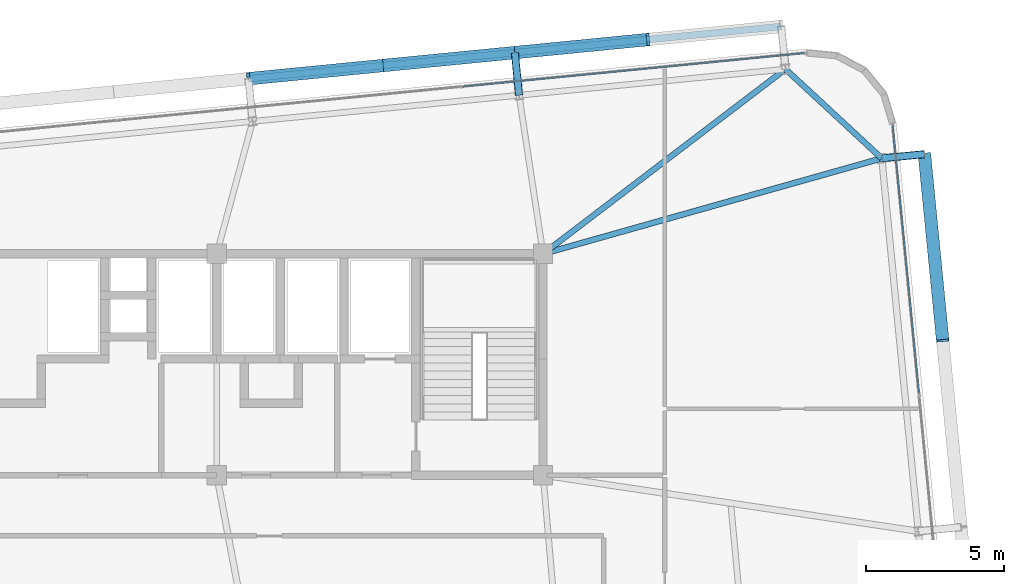
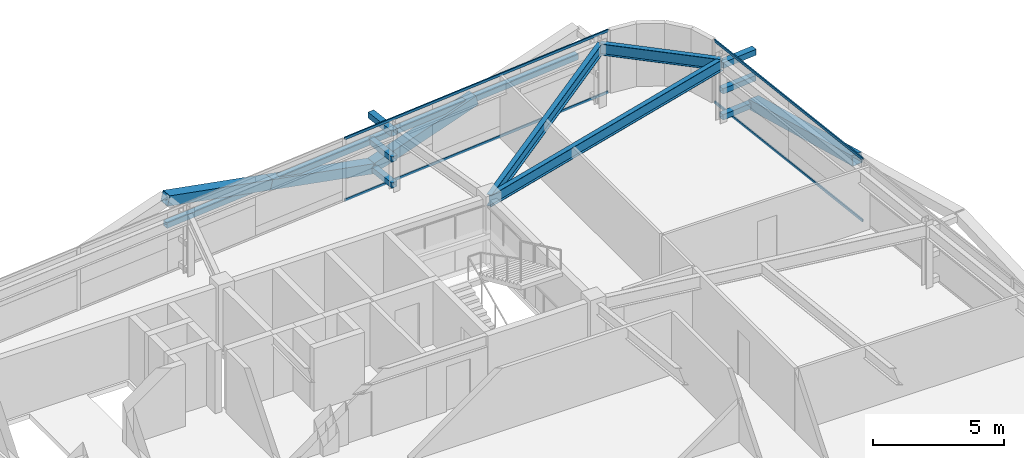
# One storey, part 30 of 47: 16 members, 3 beams, 2 elements without a shape of their own.
"""IFC4 building model written with IfcOpenShell, lengths in metres."""

from ifc_helpers import new_model, si_unit, direction, frame, origin, origin_2d, place, context, subcontext, project, spatial, hollow_rectangle, i_section, extrude, source, transform, mapped, material, layer, layer_set, material_profile, profile_set, type_object, element, aggregate, save


model = new_model("IFC4")

# Units and contexts
model_context = context("Model", 3, precision=1e-05, world=origin(), true_north=direction((0.0, 1.0)))
body_context = subcontext(model_context, "Body", "Model", "MODEL_VIEW")
ifc_project = project(units=[si_unit("LENGTHUNIT", "METRE"), si_unit("AREAUNIT", "SQUARE_METRE"), si_unit("VOLUMEUNIT", "CUBIC_METRE"), si_unit("PLANEANGLEUNIT", "RADIAN"), si_unit("MASSUNIT", "GRAM", prefix="KILO")], contexts=[model_context])

# Site, building, storey
site_placement = place(None, origin())
site = spatial("IfcSite", under=ifc_project, at=site_placement, CompositionType="ELEMENT")
building_placement = place(site_placement, origin())
building = spatial("IfcBuilding", under=site, at=building_placement, Name="Taldren Reach Tower", CompositionType="ELEMENT")
storey_placement = place(building_placement, frame((0.0, 0.0, 87.14990234375)))
storey = spatial("IfcBuildingStorey", under=building, at=storey_placement, Name="L26", CompositionType="ELEMENT", Elevation=87.14990234375)

# Beam
ifc_material_1 = material(Name="Steel Gr 350 (350PLUS)", Category="steel")
ifc_material_profile_1 = material_profile(ifc_material_1, i_section(OverallWidth=0.208984375, OverallDepth=0.528076171875, WebThickness=0.009521484375, FlangeThickness=0.01318359375, at=origin_2d()), Name="530UB82.0")
ifc_profile_set_1 = profile_set([ifc_material_profile_1], Name="Steel Gr 350 (350PLUS)")
beam_type_1 = type_object("IfcBeamType", Name="SP-UB530B", PredefinedType="SPANDREL", material=ifc_profile_set_1)
shared_shape_1 = source(origin(), body_context, "Body", "SweptSolid", [
    extrude(i_section(OverallWidth=0.208984375, OverallDepth=0.528076171875, WebThickness=0.009521484375, FlangeThickness=0.01318359375, at=origin_2d()), origin(), (0.0, 0.0, 1.0), 4.74609375),
])
beam_1_placement = place(storey_placement, frame((63.247314453125, 35.454345703125, 2.666015625), z_axis=(-0.733547883762, 0.679637772809, 0.0), x_axis=(-0.679637772809, -0.733547883762, 0.0)))
element("IfcBeam", 1, at=beam_1_placement, inside=storey, type_object=beam_type_1, Name="Perimeter spandrel B2 E3-N6 L26", PredefinedType="SPANDREL", context=body_context, shape_type="MappedRepresentation", body=[
    mapped(shared_shape_1, transform((0.0, 0.0, 0.0), scale=1.0)),
])

# Members
ifc_material_2 = material(Name="Steel Gr 450 (C450L0)", Category="steel")
ifc_material_profile_2 = material_profile(ifc_material_2, hollow_rectangle(XDim=0.27490234375, YDim=0.27490234375, WallThickness=0.00927734375, at=origin_2d()), Name="275x275x9.3SHS")
ifc_profile_set_2 = profile_set([ifc_material_profile_2], Name="Steel Gr 450 (C450L0)")
member_type_1 = type_object("IfcMemberType", Name="MB-TIE273", PredefinedType="STRUT", material=ifc_profile_set_2)
shared_shape_2 = source(origin(), body_context, "Body", "SweptSolid", [
    extrude(hollow_rectangle(XDim=0.27490234375, YDim=0.27490234375, WallThickness=0.00927734375, at=origin_2d()), origin(), (0.0, 0.0, 1.0), 1.5498046875),
])
for number, where, z_axis, x_axis, name in (
    (2, (50.132080078125, 37.7353515625, 2.650146484375), (-0.097663201064, 0.995219523099, 0.0), (-0.995219523099, -0.097663201064, 0.0), "Exoskeleton diaphragm tie strut B2-N5 L26"),
    (3, (63.247314453125, 35.454345703125, 2.650146484375), (0.995234821595, 0.097507178627, 0.0), (-0.097507178627, 0.995234821595, 0.0), "Exoskeleton diaphragm tie strut B2-E3 L26"),
):
    element("IfcMember", number, at=place(storey_placement, frame(where, z_axis=z_axis, x_axis=x_axis)), inside=storey, type_object=member_type_1, Name=name, PredefinedType="STRUT", context=body_context, shape_type="MappedRepresentation", body=[
        mapped(shared_shape_2, transform((0.0, 0.0, 0.0), scale=1.0)),
    ])
ifc_material_3 = material(Name="Steel Gr 350 (C350L0)", Category="steel")
ifc_material_profile_3 = material_profile(ifc_material_3, hollow_rectangle(XDim=0.25, YDim=0.25, WallThickness=0.010009765625, at=origin_2d()), Name="250x250x10.0SHS")
ifc_profile_set_3 = profile_set([ifc_material_profile_3], Name="Steel Gr 350 (C350L0)")
member_type_2 = type_object("IfcMemberType", Name="MB-POST250", PredefinedType="POST", material=ifc_profile_set_3)
shared_shape_3 = source(origin(), body_context, "Body", "SweptSolid", [
    extrude(hollow_rectangle(XDim=0.25, YDim=0.25, WallThickness=0.010009765625, at=origin_2d()), origin(), (0.0, 0.0, 1.0), 1.5498046875),
])
for number, where, z_axis, x_axis, name in (
    (4, (50.132080078125, 37.7353515625, 0.22021484375), (-0.097663201064, 0.995219523099, 0.0), (-0.995219523099, -0.097663201064, 0.0), "Exoskeleton base diaphragm tie strut B2-N5 L26"),
    (5, (63.247314453125, 35.454345703125, 0.22021484375), (0.995234821595, 0.097507178627, 0.0), (-0.097507178627, 0.995234821595, 0.0), "Exoskeleton base diaphragm tie strut B2-E3 L26"),
    (6, (50.132080078125, 37.7353515625, 1.43505859375), (-0.097663201064, 0.995219523099, 0.0), (-0.995219523099, -0.097663201064, 0.0), "Exoskeleton mid-tier diaphragm tie B2-N5 L26"),
    (7, (63.247314453125, 35.454345703125, 1.43505859375), (0.995234821595, 0.097507178627, 0.0), (-0.097507178627, 0.995234821595, 0.0), "Exoskeleton mid-tier diaphragm tie B2-E3 L26"),
):
    element("IfcMember", number, at=place(storey_placement, frame(where, z_axis=z_axis, x_axis=x_axis)), inside=storey, type_object=member_type_2, Name=name, PredefinedType="POST", context=body_context, shape_type="MappedRepresentation", body=[
        mapped(shared_shape_3, transform((0.0, 0.0, 0.0), scale=1.0)),
    ])

# Beams
ifc_material_profile_4 = material_profile(ifc_material_1, i_section(OverallWidth=0.208984375, OverallDepth=0.532958984375, WebThickness=0.01025390625, FlangeThickness=0.015625, at=origin_2d()), Name="530UB92.4")
ifc_profile_set_4 = profile_set([ifc_material_profile_4], Name="Steel Gr 350 (350PLUS)")
beam_type_2 = type_object("IfcBeamType", Name="BM-UB530A", PredefinedType="BEAM", material=ifc_profile_set_4)
shared_shape_4 = source(origin(), body_context, "Body", "SweptSolid", [
    extrude(i_section(OverallWidth=0.208984375, OverallDepth=0.532958984375, WebThickness=0.01025390625, FlangeThickness=0.015625, at=origin_2d()), origin(), (0.0, 0.0, 1.0), 12.72509765625),
])
beam_2_placement = place(storey_placement, frame((51.0, 32.0, 2.66357421875), z_axis=(0.962450190096, 0.271458342264, 0.0), x_axis=(-0.271458342264, 0.962450190096, 0.0)))
element("IfcBeam", 8, at=beam_2_placement, inside=storey, type_object=beam_type_2, Name="Primary floor girder B2-E3 L26", PredefinedType="BEAM", context=body_context, shape_type="MappedRepresentation", body=[
    mapped(shared_shape_4, transform((0.0, 0.0, 0.0), scale=1.0)),
])
shared_shape_5 = source(origin(), body_context, "Body", "SweptSolid", [
    extrude(i_section(OverallWidth=0.208984375, OverallDepth=0.532958984375, WebThickness=0.01025390625, FlangeThickness=0.015625, at=origin_2d()), origin(), (0.0, 0.0, 1.0), 11.02099609375),
])
beam_3_placement = place(storey_placement, frame((51.0, 32.0, 2.66357421875), z_axis=(0.795380356763, 0.606110623629, 0.0), x_axis=(-0.606110623629, 0.795380356763, 0.0)))
element("IfcBeam", 9, at=beam_3_placement, inside=storey, type_object=beam_type_2, Name="Primary floor girder B2-N6 L26", PredefinedType="BEAM", context=body_context, shape_type="MappedRepresentation", body=[
    mapped(shared_shape_5, transform((0.0, 0.0, 0.0), scale=1.0)),
])

# Members
ifc_material_profile_5 = material_profile(ifc_material_2, hollow_rectangle(XDim=0.4599609375, YDim=0.4599609375, WallThickness=0.01611328125, at=origin_2d()), Name="460x460x16.0SHS")
ifc_profile_set_5 = profile_set([ifc_material_profile_5], Name="Steel Gr 450 (C450L0)")
member_type_3 = type_object("IfcMemberType", Name="MB-EXO457", PredefinedType="BRACE", material=ifc_profile_set_5)
shared_shape_6 = source(origin(), body_context, "Body", "SweptSolid", [
    extrude(hollow_rectangle(XDim=0.4599609375, YDim=0.4599609375, WallThickness=0.01611328125, at=origin_2d()), origin(), (0.0, 0.0, 1.0), 4.990234375),
])
for number, where, z_axis, x_axis, name in (
    (10, (49.980712890625, 39.27783203125, 0.22021484375), (-0.965287024526, -0.094620633828, 0.24344998652), (0.097555749586, -0.995230061706, 0.0), "Exoskeleton Diagrid Brace B2-N4 L26"),
    (11, (45.163818359375, 38.8056640625, 1.43505859375), (-0.965271056716, -0.094667992638, 0.243494883389), (0.097605711627, -0.995225162995, 0.0), "Exoskeleton Diagrid Brace B2-N4 L26"),
    (12, (49.980712890625, 39.27783203125, 0.22021484375), (0.965282554799, 0.094669120301, 0.243448859234), (-0.097605711627, 0.995225162995, 0.0), "Exoskeleton Diagrid Brace B2-N5 L26"),
):
    element("IfcMember", number, at=place(storey_placement, frame(where, z_axis=z_axis, x_axis=x_axis)), inside=storey, type_object=member_type_3, Name=name, PredefinedType="BRACE", context=body_context, shape_type="MappedRepresentation", body=[
        mapped(shared_shape_6, transform((0.0, 0.0, 0.0), scale=1.0)),
    ])
shared_shape_7 = source(origin(), body_context, "Body", "SweptSolid", [
    extrude(hollow_rectangle(XDim=0.25, YDim=0.25, WallThickness=0.010009765625, at=origin_2d()), origin(), (0.0, 0.0, 1.0), 9.679931640625),
])
for number, where, z_axis, x_axis, name in (
    (13, (40.346923828125, 38.333251953125, 1.43505859375), (0.995227612658, 0.097580730699, 0.0), (-0.097580730699, 0.995227612658, 0.0), "Exoskeleton mid-height ring chord B2-N4 L26"),
    (14, (49.980712890625, 39.27783203125, 1.43505859375), (0.995227612658, 0.097580730699, 0.0), (-0.097580730699, 0.995227612658, 0.0), "Exoskeleton mid-height ring chord B2-N5 L26"),
):
    element("IfcMember", number, at=place(storey_placement, frame(where, z_axis=z_axis, x_axis=x_axis)), inside=storey, type_object=member_type_2, Name=name, PredefinedType="POST", context=body_context, shape_type="MappedRepresentation", body=[
        mapped(shared_shape_7, transform((0.0, 0.0, 0.0), scale=1.0)),
    ])
shared_shape_8 = source(origin(), body_context, "Body", "SweptSolid", [
    extrude(hollow_rectangle(XDim=0.4599609375, YDim=0.4599609375, WallThickness=0.01611328125, at=origin_2d()), origin(), (0.0, 0.0, 1.0), 6.883056640625),
])
member_1_placement = place(storey_placement, frame((64.789794921875, 35.60546875, 0.22021484375), z_axis=(0.096052059581, -0.979603316657, 0.176497432967), x_axis=(0.995227290009, 0.097584021339, 0.0)))
element("IfcMember", 15, at=member_1_placement, inside=storey, type_object=member_type_3, Name="Exoskeleton Diagrid Brace B2-E2 L26", PredefinedType="BRACE", context=body_context, shape_type="MappedRepresentation", body=[
    mapped(shared_shape_8, transform((0.0, 0.0, 0.0), scale=1.0)),
])

# Curtain wall, members
ifc_material_4 = material(Name="Aluminium and Low-E Glass Unitised System", Category="aluminium")
ifc_layer = layer(ifc_material_4, 0.159912109375)
ifc_layer_set = layer_set([ifc_layer], Name="Aluminium and Low-E Glass Unitised System")
curtain_wall_type = type_object("IfcCurtainWallType", Name="CW-SYS-3", PredefinedType="NOTDEFINED", material=ifc_layer_set)
curtain_wall_1_placement = place(storey_placement, origin())
curtain_wall_1 = element("IfcCurtainWall", 16, at=curtain_wall_1_placement, inside=storey, type_object=curtain_wall_type, Name="Unitised curtain wall CW-L26-N", PredefinedType="NOTDEFINED")
ifc_material_5 = material(Name="Anodised Aluminium 6063-T6", Category="aluminium")
ifc_material_profile_6 = material_profile(ifc_material_5, hollow_rectangle(XDim=0.054931640625, YDim=0.1201171875, WallThickness=0.0029296875, at=origin_2d()), Name="ALU-120x55x3RHS")
ifc_profile_set_6 = profile_set([ifc_material_profile_6], Name="Anodised Aluminium 6063-T6")
member_type_4 = type_object("IfcMemberType", Name="CW-TRN-135", PredefinedType="USERDEFINED", material=ifc_profile_set_6)
shared_shape_9 = source(origin(), body_context, "Body", "SweptSolid", [
    extrude(hollow_rectangle(XDim=0.054931640625, YDim=0.1201171875, WallThickness=0.0029296875, at=origin_2d()), origin(), (0.0, 0.0, 1.0), 12.402587890625),
])
member_2_placement = place(storey_placement, frame((60.447509765625, 39.25927734375, 0.027587890625), z_axis=(-0.995225976096, -0.097597420576, 0.0), x_axis=(0.097597420576, -0.995225976096, 0.0)))
member_2 = element("IfcMember", 17, at=member_2_placement, type_object=member_type_4, Name="CW-3 transom 1.1", ObjectType="TRANSOM", PredefinedType="USERDEFINED", context=body_context, shape_type="MappedRepresentation", body=[
    mapped(shared_shape_9, transform((0.0, 0.0, 0.0), scale=1.0)),
])
member_3_placement = place(storey_placement, frame((60.447509765625, 39.25927734375, 2.902587890625), z_axis=(-0.995225976096, -0.097597420576, 0.0), x_axis=(0.097597420576, -0.995225976096, 0.0)))
member_3 = element("IfcMember", 18, at=member_3_placement, type_object=member_type_4, Name="CW-3 transom 1.2", ObjectType="TRANSOM", PredefinedType="USERDEFINED", context=body_context, shape_type="MappedRepresentation", body=[
    mapped(shared_shape_9, transform((0.0, 0.0, 0.0), scale=1.0)),
])
aggregate(curtain_wall_1, [member_2, member_3])

curtain_wall_2_placement = place(storey_placement, origin())
curtain_wall_2 = element("IfcCurtainWall", 19, at=curtain_wall_2_placement, inside=storey, type_object=curtain_wall_type, Name="Unitised curtain wall CW-L26-E", PredefinedType="NOTDEFINED")
shared_shape_10 = source(origin(), body_context, "Body", "SweptSolid", [
    extrude(hollow_rectangle(XDim=0.054931640625, YDim=0.1201171875, WallThickness=0.0029296875, at=origin_2d()), origin(), (0.0, 0.0, 1.0), 9.73583984375),
])
member_4_placement = place(storey_placement, frame((64.593994140625, 26.944091796875, 0.027587890625), z_axis=(-0.097571911043, 0.995228477374, 0.0), x_axis=(-0.995228477374, -0.097571911043, 0.0)))
member_4 = element("IfcMember", 20, at=member_4_placement, type_object=member_type_4, Name="CW-3 transom 3.1", ObjectType="TRANSOM", PredefinedType="USERDEFINED", context=body_context, shape_type="MappedRepresentation", body=[
    mapped(shared_shape_10, transform((0.0, 0.0, 0.0), scale=1.0)),
])
member_5_placement = place(storey_placement, frame((64.593994140625, 26.944091796875, 2.902587890625), z_axis=(-0.097571911043, 0.995228477374, 0.0), x_axis=(-0.995228477374, -0.097571911043, 0.0)))
member_5 = element("IfcMember", 21, at=member_5_placement, type_object=member_type_4, Name="CW-3 transom 3.2", ObjectType="TRANSOM", PredefinedType="USERDEFINED", context=body_context, shape_type="MappedRepresentation", body=[
    mapped(shared_shape_10, transform((0.0, 0.0, 0.0), scale=1.0)),
])
aggregate(curtain_wall_2, [member_4, member_5])

save(model, "model.ifc")
